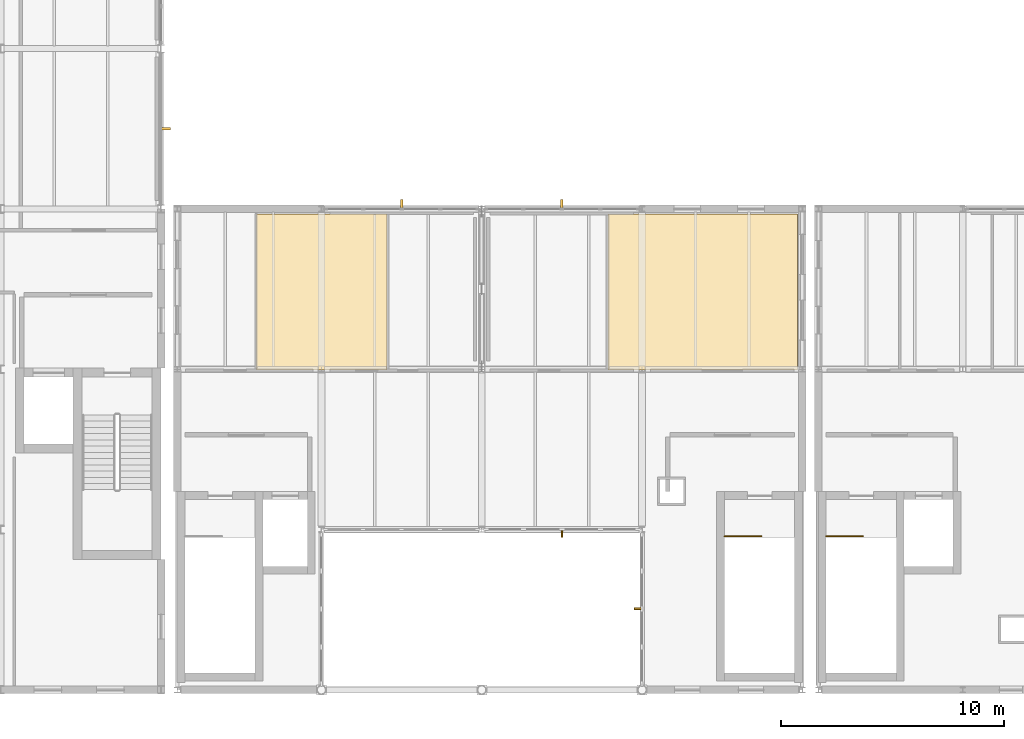
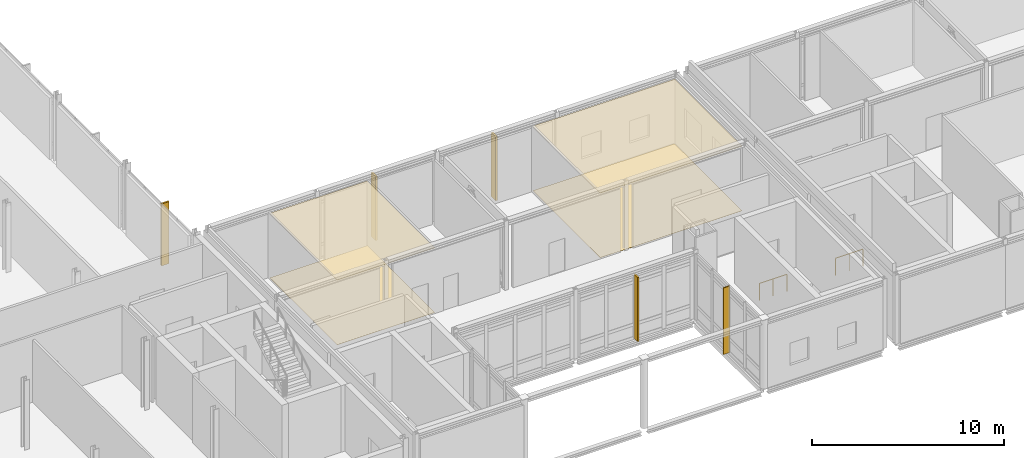
# One storey, part 39 of 43: 5 shading devices, 4 coverings, 2 railings.
"""IFC4 building model written with IfcOpenShell, lengths in metres."""

from ifc_helpers import new_model, si_unit, direction, frame, origin, origin_2d, place, context, subcontext, project, spatial, polyline, rectangle, circle, outline, extrude, material, layer, layer_set, type_object, element, save


model = new_model("IFC4")

# Units and contexts
model_context = context("Model", 3, precision=1e-05, world=origin(), true_north=direction((0.0, 1.0)))
body_context = subcontext(model_context, "Body", "Model", "MODEL_VIEW")
ifc_project = project(units=[si_unit("LENGTHUNIT", "METRE"), si_unit("AREAUNIT", "SQUARE_METRE"), si_unit("VOLUMEUNIT", "CUBIC_METRE"), si_unit("PLANEANGLEUNIT", "RADIAN"), si_unit("MASSUNIT", "GRAM", prefix="KILO")], contexts=[model_context])

# Site, building, storey
site_placement = place(None, origin())
site = spatial("IfcSite", under=ifc_project, at=site_placement, CompositionType="ELEMENT")
building_placement = place(site_placement, origin())
building = spatial("IfcBuilding", under=site, at=building_placement, Name="Zarrinpeak Specialist Clinic", CompositionType="ELEMENT")
storey_placement = place(building_placement, frame((0.0, 0.0, 18.39990234375)))
storey = spatial("IfcBuildingStorey", under=building, at=storey_placement, Name="L04", CompositionType="ELEMENT", Elevation=18.39990234375)

# Coverings
ifc_material_1 = material(Name="Hygienic Acoustic Mineral Fibre Tile")
ifc_layer_1 = layer(ifc_material_1, 0.02490234375)
ifc_layer_set_1 = layer_set([ifc_layer_1], Name="Hygienic Acoustic Mineral Fibre Tile")
covering_type_1 = type_object("IfcCoveringType", Name="CV-CEIL-AC", PredefinedType="CEILING", material=ifc_layer_set_1)
covering_1_placement = place(storey_placement, frame((0.0, 0.0, 4.085205078125)))
element("IfcCovering", 1, at=covering_1_placement, inside=storey, type_object=covering_type_1, Name="L04 Behavioral Health Consult Suite Hygienic Acoustic Ceiling", PredefinedType="CEILING", context=body_context, shape_type="SweptSolid", body=[
    extrude(outline(polyline([(33.090087890625, 14.3701171875), (38.949951171875, 14.3701171875), (38.949951171875, 21.3798828125), (33.090087890625, 21.3798828125), (33.090087890625, 14.3701171875)])), origin(), (0.0, 0.0, 1.0), 0.02490234375),
])
covering_2_placement = place(storey_placement, frame((0.0, 0.0, 4.085205078125)))
element("IfcCovering", 2, at=covering_2_placement, inside=storey, type_object=covering_type_1, Name="L04 Group Therapy Seminar Room Hygienic Acoustic Ceiling", PredefinedType="CEILING", context=body_context, shape_type="SweptSolid", body=[
    extrude(outline(polyline([(48.8701171875, 14.3701171875), (57.3798828125, 14.3701171875), (57.3798828125, 21.3798828125), (48.8701171875, 21.3798828125), (48.8701171875, 14.3701171875)])), origin(), (0.0, 0.0, 1.0), 0.02490234375),
])
ifc_material_2 = material(Name="Homogeneous Antimicrobial Clinical Vinyl")
ifc_layer_2 = layer(ifc_material_2, 0.008056640625)
ifc_layer_set_2 = layer_set([ifc_layer_2], Name="Homogeneous Antimicrobial Clinical Vinyl")
covering_type_2 = type_object("IfcCoveringType", Name="CV-FLR-VN", PredefinedType="FLOORING", material=ifc_layer_set_2)
covering_3_placement = place(storey_placement, frame((0.0, 0.0, 0.0009765625)))
element("IfcCovering", 3, at=covering_3_placement, inside=storey, type_object=covering_type_2, Name="L04 Behavioral Health Consult Suite Antimicrobial Vinyl Flooring", PredefinedType="FLOORING", context=body_context, shape_type="SweptSolid", body=[
    extrude(outline(polyline([(33.090087890625, 14.3701171875), (38.949951171875, 14.3701171875), (38.949951171875, 21.3798828125), (33.090087890625, 21.3798828125), (33.090087890625, 14.3701171875)])), origin(), (0.0, 0.0, 1.0), 0.008056640625),
])
covering_4_placement = place(storey_placement, frame((0.0, 0.0, 0.0009765625)))
element("IfcCovering", 4, at=covering_4_placement, inside=storey, type_object=covering_type_2, Name="L04 Group Therapy Seminar Room Antimicrobial Vinyl Flooring", PredefinedType="FLOORING", context=body_context, shape_type="SweptSolid", body=[
    extrude(outline(polyline([(48.8701171875, 14.3701171875), (57.3798828125, 14.3701171875), (57.3798828125, 21.3798828125), (48.8701171875, 21.3798828125), (48.8701171875, 14.3701171875)])), origin(), (0.0, 0.0, 1.0), 0.008056640625),
])

# Railings
ifc_material_3 = material(Name="Laminated Safety Glass and Stainless Steel 316", Category="steel")
ifc_layer_3 = layer(ifc_material_3, 0.06005859375)
ifc_layer_set_3 = layer_set([ifc_layer_3], Name="Laminated Safety Glass and Stainless Steel 316")
railing_type = type_object("IfcRailingType", Name="RL-GRD115", PredefinedType="GUARDRAIL", material=ifc_layer_set_3)
railing_1_placement = place(storey_placement, frame((54.10009765625, 6.89990234375, 0.0)))
element("IfcRailing", 5, at=railing_1_placement, inside=storey, type_object=railing_type, Name="L04 ST-04 top well guard 1", PredefinedType="GUARDRAIL", context=body_context, shape_type="SweptSolid", body=[
    extrude(circle(Radius=0.02392578125, at=origin_2d()), frame((0.0, 0.0, 1.076171875), z_axis=(1.0, 0.0, 0.0), x_axis=(0.0, 1.0, 0.0)), (0.0, 0.0, 1.0), 1.64990234375),
    extrude(circle(Radius=0.02099609375, at=origin_2d()), origin(), (0.0, 0.0, 1.0), 1.052001953125),
    extrude(circle(Radius=0.02099609375, at=origin_2d()), frame((0.824951171875, 0.0, 0.0)), (0.0, 0.0, 1.0), 1.052001953125),
    extrude(circle(Radius=0.02099609375, at=origin_2d()), frame((1.64990234375, 0.0, 0.0)), (0.0, 0.0, 1.0), 1.052001953125),
])
railing_2_placement = place(storey_placement, frame((58.669921875, 6.89990234375, 0.0)))
element("IfcRailing", 6, at=railing_2_placement, inside=storey, type_object=railing_type, Name="L04 ST-07 top well guard 1", PredefinedType="GUARDRAIL", context=body_context, shape_type="SweptSolid", body=[
    extrude(circle(Radius=0.02392578125, at=origin_2d()), frame((0.0, 0.0, 1.076171875), z_axis=(1.0, 0.0, 0.0), x_axis=(0.0, 1.0, 0.0)), (0.0, 0.0, 1.0), 1.650146484375),
    extrude(circle(Radius=0.02099609375, at=origin_2d()), origin(), (0.0, 0.0, 1.0), 1.052001953125),
    extrude(circle(Radius=0.02099609375, at=origin_2d()), frame((0.8251953125, 0.0, 0.0)), (0.0, 0.0, 1.0), 1.052001953125),
    extrude(circle(Radius=0.02099609375, at=origin_2d()), frame((1.650146484375, 0.0, 0.0)), (0.0, 0.0, 1.0), 1.052001953125),
])

# Shading devices
ifc_material_4 = material(Name="Anodised Bronze Aluminium", Category="aluminium")
shading_device_type_1 = type_object("IfcShadingDeviceType", Name="SHD-FIN-BZ", PredefinedType="JALOUSIE", material=ifc_material_4)
shading_device_1_placement = place(storey_placement, frame((46.800048828125, 7.034912109375, -0.014892578125), z_axis=(0.0, 0.0, 1.0), x_axis=(1.0, 0.0, 0.0)))
element("IfcShadingDevice", 7, at=shading_device_1_placement, inside=storey, type_object=shading_device_type_1, Name="L04 V2 Solar Control Fin FIN-042", PredefinedType="JALOUSIE", context=body_context, shape_type="SweptSolid", body=[
    extrude(rectangle(XDim=0.074951171875, YDim=0.3798828125, at=origin_2d()), origin(), (0.0, 0.0, 1.0), 4.06494140625),
])
shading_device_2_placement = place(storey_placement, frame((50.235107421875, 3.6416015625, -0.014892578125), z_axis=(0.0, 0.0, 1.0), x_axis=(1.0, 0.0, 0.0)))
element("IfcShadingDevice", 8, at=shading_device_2_placement, inside=storey, type_object=shading_device_type_1, Name="L04 V2 Solar Control Fin FIN-043", PredefinedType="JALOUSIE", context=body_context, shape_type="SweptSolid", body=[
    extrude(rectangle(XDim=0.3798828125, YDim=0.074951171875, at=origin_2d()), origin(), (0.0, 0.0, 1.0), 4.2099609375),
])
ifc_material_5 = material(Name="Glulam GL28h", Category="wood")
shading_device_type_2 = type_object("IfcShadingDeviceType", Name="SHD-FIN-GL", PredefinedType="USERDEFINED", material=ifc_material_5)
shading_device_3_placement = place(storey_placement, frame((29.0, 25.199951171875, -0.0146484375), z_axis=(0.0, 0.0, 1.0), x_axis=(1.0, 0.0, 0.0)))
element("IfcShadingDevice", 9, at=shading_device_3_placement, inside=storey, type_object=shading_device_type_2, Name="L04 V1 Cedar-Glulam Courtyard Fin FIN-017", ObjectType="SUNSHADE", PredefinedType="USERDEFINED", context=body_context, shape_type="SweptSolid", body=[
    extrude(rectangle(XDim=0.449951171875, YDim=0.110107421875, at=origin_2d()), origin(), (0.0, 0.0, 1.0), 3.929931640625),
])
for number, where, z_axis, x_axis, name in (
    (10, (39.60009765625, 21.800048828125, -0.014892578125), (0.0, 0.0, 1.0), (1.0, 0.0, 0.0), "L04 V2 Cedar-Glulam Courtyard Fin FIN-044"),
    (11, (46.800048828125, 21.800048828125, -0.014892578125), (0.0, 0.0, 1.0), (1.0, 0.0, 0.0), "L04 V2 Cedar-Glulam Courtyard Fin FIN-045"),
):
    element("IfcShadingDevice", number, at=place(storey_placement, frame(where, z_axis=z_axis, x_axis=x_axis)), inside=storey, type_object=shading_device_type_2, Name=name, ObjectType="SUNSHADE", PredefinedType="USERDEFINED", context=body_context, shape_type="SweptSolid", body=[
        extrude(rectangle(XDim=0.110107421875, YDim=0.449951171875, at=origin_2d()), origin(), (0.0, 0.0, 1.0), 4.06494140625),
    ])

save(model, "model.ifc")
